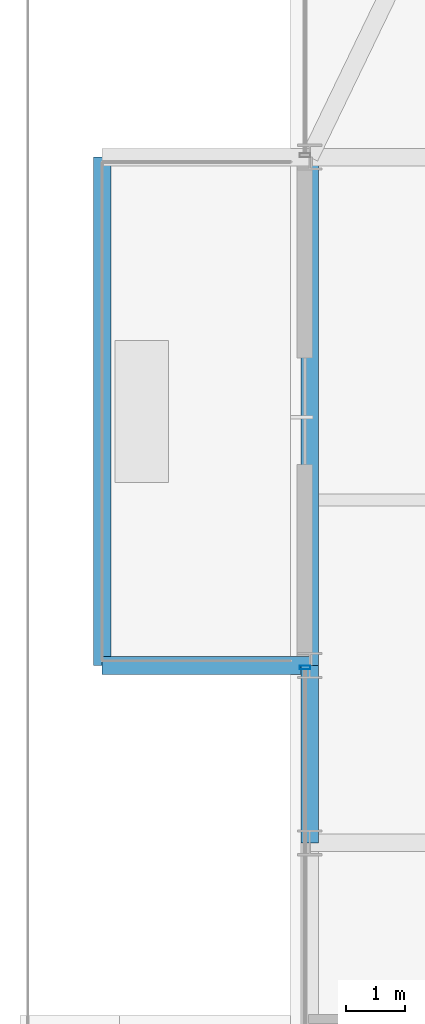
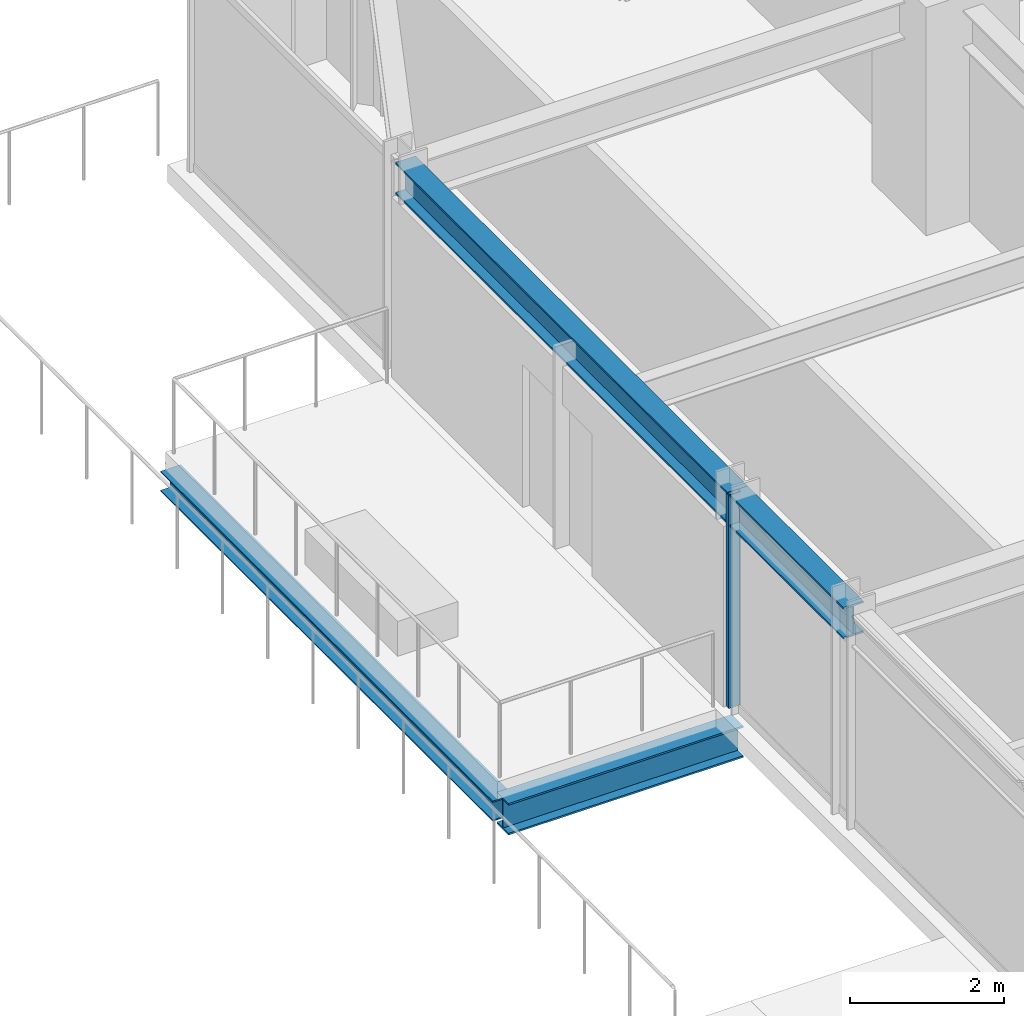
# One storey, part 18 of 39: 4 beams, 1 member, 1 element without a shape of its own.
"""IFC4 building model written with IfcOpenShell, lengths in metres."""

from ifc_helpers import new_model, si_unit, direction, frame, origin, origin_2d, place, context, subcontext, project, spatial, hollow_rectangle, i_section, extrude, source, transform, mapped, material, material_profile, profile_set, type_object, element, aggregate, save


model = new_model("IFC4")

# Units and contexts
model_context = context("Model", 3, precision=1e-05, world=origin(), true_north=direction((0.0, 1.0)))
body_context = subcontext(model_context, "Body", "Model", "MODEL_VIEW")
ifc_project = project(units=[si_unit("LENGTHUNIT", "METRE"), si_unit("AREAUNIT", "SQUARE_METRE"), si_unit("VOLUMEUNIT", "CUBIC_METRE"), si_unit("PLANEANGLEUNIT", "RADIAN"), si_unit("MASSUNIT", "GRAM", prefix="KILO")], contexts=[model_context])

# Site, building, storey
site_placement = place(None, origin())
site = spatial("IfcSite", under=ifc_project, at=site_placement, CompositionType="ELEMENT")
building_placement = place(site_placement, origin())
building = spatial("IfcBuilding", under=site, at=building_placement, Name="Nahalor Promenade Grand Hotel", CompositionType="ELEMENT")
storey_placement = place(building_placement, frame((0.0, 0.0, 32.39990234375)))
storey = spatial("IfcBuildingStorey", under=building, at=storey_placement, Name="L06", CompositionType="ELEMENT", Elevation=32.39990234375)

# Beams
ifc_material_1 = material(Name="Steel S355JR", Category="steel")
ifc_material_profile_1 = material_profile(ifc_material_1, i_section(OverallWidth=0.3, OverallDepth=0.32, WebThickness=0.0115, FlangeThickness=0.0205, at=origin_2d()), Name="HEB 320")
ifc_profile_set_1 = profile_set([ifc_material_profile_1], Name="Steel S355JR")
beam_type_1 = type_object("IfcBeamType", Name="Beam-BalcEdge-HEB320", PredefinedType="SPANDREL", material=ifc_profile_set_1)
shared_shape_1 = source(origin(), body_context, "Body", "SweptSolid", [
    extrude(i_section(OverallWidth=0.3, OverallDepth=0.32, WebThickness=0.0115, FlangeThickness=0.0205, at=origin_2d()), origin(), (0.0, 0.0, 1.0), 8.60009765625),
])
beam_1_placement = place(storey_placement, frame((-28.590087890625, 8.39990234375, -0.43994140625), z_axis=(0.0, 1.0, 0.0), x_axis=(-1.0, 0.0, 0.0)))
element("IfcBeam", 1, at=beam_1_placement, inside=storey, type_object=beam_type_1, Name="BM-L06-BC-02-F", PredefinedType="SPANDREL", context=body_context, shape_type="MappedRepresentation", body=[
    mapped(shared_shape_1, transform((0.0, 0.0, 0.0), scale=1.0)),
])
ifc_material_profile_2 = material_profile(ifc_material_1, i_section(OverallWidth=0.3, OverallDepth=0.5, WebThickness=0.0145, FlangeThickness=0.028, at=origin_2d()), Name="HEB 500")
ifc_profile_set_2 = profile_set([ifc_material_profile_2], Name="Steel S355JR")
beam_type_2 = type_object("IfcBeamType", Name="Beam-Outrigger-HEB500", PredefinedType="BEAM", material=ifc_profile_set_2)
shared_shape_2 = source(origin(), body_context, "Body", "SweptSolid", [
    extrude(i_section(OverallWidth=0.3, OverallDepth=0.5, WebThickness=0.0145, FlangeThickness=0.028, at=origin_2d()), origin(), (0.0, 0.0, 1.0), 3.510009765625),
])
beam_2_placement = place(storey_placement, frame((-28.590087890625, 8.39990234375, -0.52978515625), z_axis=(1.0, 0.0, 0.0), x_axis=(0.0, 1.0, 0.0)))
element("IfcBeam", 2, at=beam_2_placement, inside=storey, type_object=beam_type_2, Name="BM-L06-BC-02-1", PredefinedType="BEAM", context=body_context, shape_type="MappedRepresentation", body=[
    mapped(shared_shape_2, transform((0.0, 0.0, 0.0), scale=1.0)),
])
ifc_material_profile_3 = material_profile(ifc_material_1, i_section(OverallWidth=0.3, OverallDepth=0.5, WebThickness=0.0145, FlangeThickness=0.028, at=origin_2d()), Name="HEB 500")
ifc_profile_set_3 = profile_set([ifc_material_profile_3], Name="Steel S355JR")
beam_type_3 = type_object("IfcBeamType", Name="Beam-Spandrel-HEB500", PredefinedType="SPANDREL", material=ifc_profile_set_3)
shared_shape_3 = source(origin(), body_context, "Body", "SweptSolid", [
    extrude(i_section(OverallWidth=0.3, OverallDepth=0.5, WebThickness=0.0145, FlangeThickness=0.028, at=origin_2d()), origin(), (0.0, 0.0, 1.0), 8.60009765625),
])
beam_3_placement = place(storey_placement, frame((-25.080078125, 8.39990234375, 3.1201171875), z_axis=(0.0, 1.0, 0.0), x_axis=(-1.0, 0.0, 0.0)))
element("IfcBeam", 3, at=beam_3_placement, inside=storey, type_object=beam_type_3, Name="BM-L06-SP-W-4", PredefinedType="SPANDREL", context=body_context, shape_type="MappedRepresentation", body=[
    mapped(shared_shape_3, transform((0.0, 0.0, 0.0), scale=1.0)),
])
shared_shape_4 = source(origin(), body_context, "Body", "SweptSolid", [
    extrude(i_section(OverallWidth=0.3, OverallDepth=0.5, WebThickness=0.0145, FlangeThickness=0.028, at=origin_2d()), origin(), (0.0, 0.0, 1.0), 3.0),
])
beam_4_placement = place(storey_placement, frame((-25.080078125, 5.39990234375, 3.1201171875), z_axis=(0.0, 1.0, 0.0), x_axis=(-1.0, 0.0, 0.0)))
element("IfcBeam", 4, at=beam_4_placement, inside=storey, type_object=beam_type_3, Name="BM-L06-SP-W-3", PredefinedType="SPANDREL", context=body_context, shape_type="MappedRepresentation", body=[
    mapped(shared_shape_4, transform((0.0, 0.0, 0.0), scale=1.0)),
])

# Curtain wall, member
ifc_material_2 = material(Name="Anodised Bronze Aluminium EN AW-6063 T6", Category="aluminium")
curtain_wall_type = type_object("IfcCurtainWallType", Name="CW2 Typical Hotel Flush Bronze Unitised Curtain Wall", PredefinedType="USERDEFINED", material=ifc_material_2)
curtain_wall_placement = place(storey_placement, origin())
curtain_wall = element("IfcCurtainWall", 5, at=curtain_wall_placement, inside=storey, type_object=curtain_wall_type, Name="L06 Curtain Wall CW-L06-W-1", ObjectType="UNITISED_CURTAIN_WALL", PredefinedType="USERDEFINED")
ifc_material_profile_4 = material_profile(ifc_material_2, hollow_rectangle(XDim=0.065, YDim=0.18, WallThickness=0.004, at=origin_2d()), Name="CWM 65x180x4")
ifc_profile_set_4 = profile_set([ifc_material_profile_4], Name="Anodised Bronze Aluminium EN AW-6063 T6")
member_type = type_object("IfcMemberType", Name="CWM2 Typical Bronze Mullion 65x180", PredefinedType="MULLION", material=ifc_profile_set_4)
shared_shape_5 = source(origin(), body_context, "Body", "SweptSolid", [
    extrude(hollow_rectangle(XDim=0.065, YDim=0.18, WallThickness=0.004, at=origin_2d()), origin(), (0.0, 0.0, 1.0), 3.3701171875),
])
member_placement = place(storey_placement, frame((-25.159912109375, 8.367431640625, 0.0), z_axis=(0.0, 0.0, 1.0), x_axis=(0.0, 1.0, 0.0)))
member = element("IfcMember", 6, at=member_placement, type_object=member_type, Name="CW-L06-W-1 Mullion 3", PredefinedType="MULLION", context=body_context, shape_type="MappedRepresentation", body=[
    mapped(shared_shape_5, transform((0.0, 0.0, 0.0), scale=1.0)),
])
aggregate(curtain_wall, [member])

save(model, "model.ifc")
